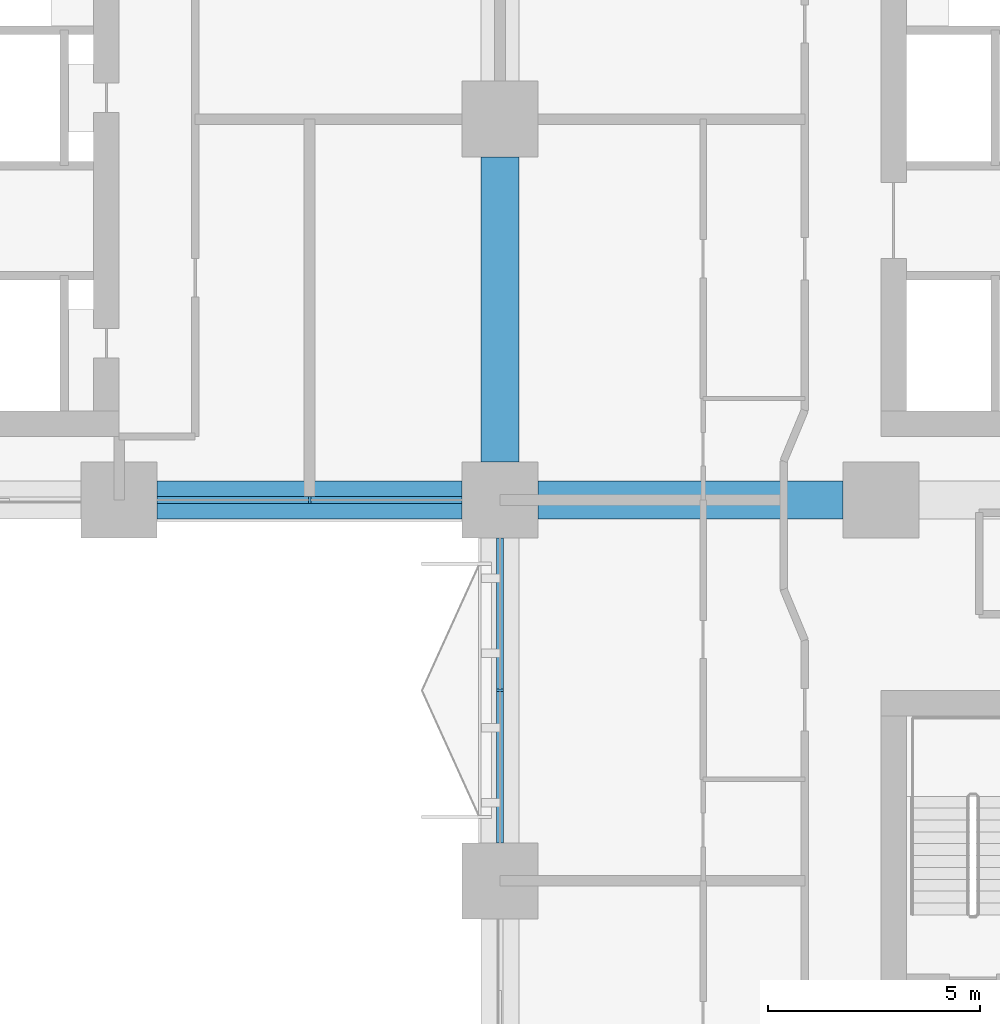
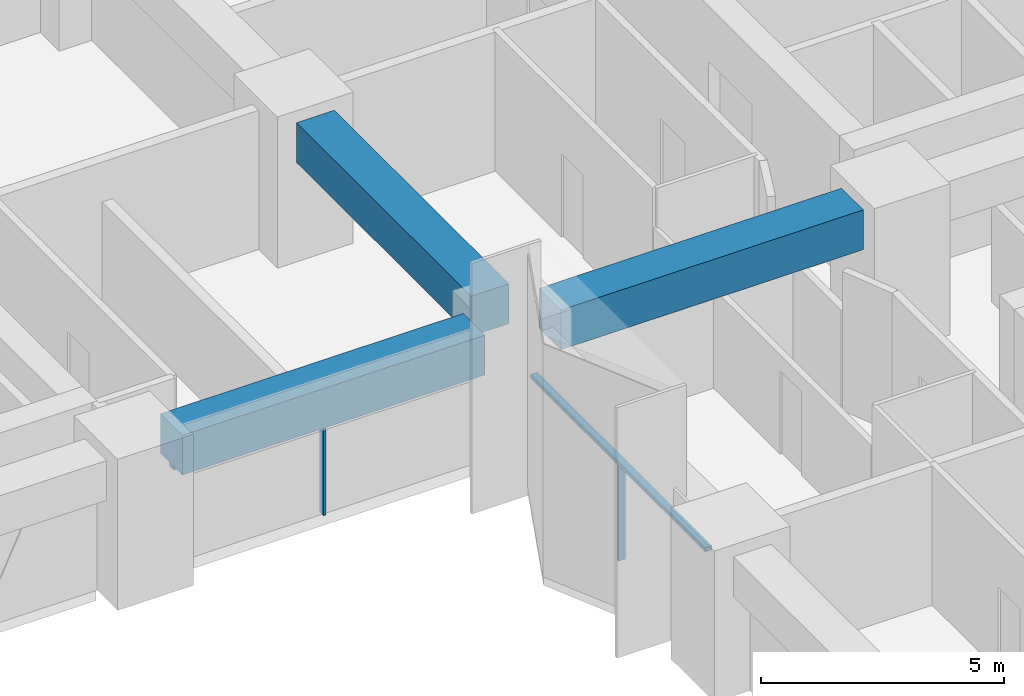
# One storey, part 3 of 18: 4 members, 3 beams, 2 elements without a shape of their own.
"""IFC4 building model written with IfcOpenShell, lengths in metres."""

import ifcopenshell
import ifcopenshell.guid

model = None  # the IFC model being written
_history = None  # IfcOwnerHistory: only IFC2X3 demands one
_inside = {}  # id of a spatial element -> (the spatial element, [elements in it])
_under = {}  # id of a project, library or spatial element -> (it, [spatial elements below it])
_declared = {}  # id of a project -> (the project, [libraries it declares])
_typed = {}  # id of a type object -> (the type object, [elements of that type])
_made_of = {}  # id of a material, layer set ... -> (it, [elements and type objects made of it])


def new_model(schema):
    """Start an empty IFC model of exactly this schema.

    Asked for "IFC4X3", IfcOpenShell would pick the latest addendum, in which some entities
    have other attributes; the version numbers below select the first issue.
    IFC2X3 requires an IfcOwnerHistory on every rooted entity: one is made here for all.
    """
    global model, _history
    if schema == "IFC4X3":
        model = ifcopenshell.file(schema_version=(4, 3, 0, 0))
    else:
        model = ifcopenshell.file(schema=schema)
    _inside.clear()
    _under.clear()
    _declared.clear()
    _typed.clear()
    _made_of.clear()
    _history = None
    if model.schema == "IFC2X3":
        org = make("IfcOrganization", Name="unknown")
        user = make(
            "IfcPersonAndOrganization",
            ThePerson=make("IfcPerson", FamilyName="unknown"),
            TheOrganization=org,
        )
        app = make(
            "IfcApplication",
            ApplicationDeveloper=org,
            Version="unknown",
            ApplicationFullName="unknown",
            ApplicationIdentifier="unknown",
        )
        _history = make(
            "IfcOwnerHistory",
            OwningUser=user,
            OwningApplication=app,
            ChangeAction="ADDED",
            CreationDate=0,
        )
    return model


def make(cls, **values):
    """One entity of the class cls with the attributes given. An attribute that is None is left unset."""
    return model.create_entity(
        cls, **{name: value for name, value in values.items() if value is not None}
    )


def rooted(cls, **values):
    """An entity with a GlobalId (a new one), such as an element, a storey or a relation."""
    return make(cls, GlobalId=ifcopenshell.guid.new(), OwnerHistory=_history, **values)


def si_unit(unit_type, name, prefix=None):
    """IfcSIUnit, for example si_unit("LENGTHUNIT", "METRE", prefix="MILLI")."""
    return make("IfcSIUnit", UnitType=unit_type, Prefix=prefix, Name=name)


def assignment(units):
    """IfcUnitAssignment: the units of a project."""
    return None if units is None else make("IfcUnitAssignment", Units=units)


def point(xyz):
    """IfcCartesianPoint."""
    return None if xyz is None else make("IfcCartesianPoint", Coordinates=xyz)


def direction(xyz):
    """IfcDirection."""
    return None if xyz is None else make("IfcDirection", DirectionRatios=xyz)


def frame(location, z_axis=None, x_axis=None):
    """IfcAxis2Placement3D, a coordinate frame: its origin and axes. An axis left out is left unset."""
    return make(
        "IfcAxis2Placement3D",
        Location=point(location),
        Axis=direction(z_axis),
        RefDirection=direction(x_axis),
    )


def frame_2d(location, x_axis=None):
    """IfcAxis2Placement2D, a coordinate frame in the plane: its origin and x axis."""
    return make(
        "IfcAxis2Placement2D", Location=point(location), RefDirection=direction(x_axis)
    )


def origin():
    """The frame at (0, 0, 0) with its axes left unset."""
    return frame((0.0, 0.0, 0.0))


def origin_2d():
    """The frame at (0, 0) in the plane with its x axis left unset."""
    return frame_2d((0.0, 0.0))


def place(relative_to, where):
    """IfcLocalPlacement: puts the frame where relative to a parent placement (None: the world)."""
    return make(
        "IfcLocalPlacement", PlacementRelTo=relative_to, RelativePlacement=where
    )


def context(
    kind, dimensions, precision=None, world=None, true_north=None, identifier=None
):
    """IfcGeometricRepresentationContext, for example the 3D "Model" context."""
    return make(
        "IfcGeometricRepresentationContext",
        ContextIdentifier=identifier,
        ContextType=kind,
        CoordinateSpaceDimension=dimensions,
        Precision=precision,
        WorldCoordinateSystem=world,
        TrueNorth=true_north,
    )


def subcontext(parent, identifier, kind, view, scale=None):
    """IfcGeometricRepresentationSubContext, for example "Body" below "Model"."""
    return make(
        "IfcGeometricRepresentationSubContext",
        ContextIdentifier=identifier,
        ContextType=kind,
        ParentContext=parent,
        TargetScale=scale,
        TargetView=view,
    )


def project(units=None, contexts=None):
    """IfcProject with its units and contexts."""
    return rooted(
        "IfcProject",
        Name="project",
        RepresentationContexts=contexts,
        UnitsInContext=assignment(units),
    )


def spatial(cls, under=None, at=None, **own):
    """A site, building, storey or space (cls), placed at a placement, below another one or the project."""
    s = rooted(cls, ObjectPlacement=at, **own)
    if under is not None:
        _under.setdefault(under.id(), (under, []))[1].append(s)
    return s


def profile(cls, at=None, kind="AREA", **sizes):
    """A parametric profile (cls). Its sizes go by their IFC names, for example OverallWidth=200.0."""
    return make(cls, ProfileType=kind, Position=at, **sizes)


def rectangle(**sizes):
    """IfcRectangleProfileDef."""
    return profile("IfcRectangleProfileDef", **sizes)


def extrude(swept, where, along, depth):
    """IfcExtrudedAreaSolid: the profile swept, set in the frame where, extruded along a direction by depth."""
    return make(
        "IfcExtrudedAreaSolid",
        SweptArea=swept,
        Position=where,
        ExtrudedDirection=direction(along),
        Depth=depth,
    )


def shape(context_of_items, identifier, shape_type, items):
    """IfcShapeRepresentation: the items that make up one representation, for example the "Body"."""
    return make(
        "IfcShapeRepresentation",
        ContextOfItems=context_of_items,
        RepresentationIdentifier=identifier,
        RepresentationType=shape_type,
        Items=items,
    )


def material(Name=None, Category=None):
    """IfcMaterial."""
    return make("IfcMaterial", Name=Name, Category=Category)


def material_profile(
    of_material, cross_section, Name=None, Category=None, Priority=None
):
    """IfcMaterialProfile: a cross section and its material."""
    return make(
        "IfcMaterialProfile",
        Name=Name,
        Material=of_material,
        Profile=cross_section,
        Priority=Priority,
        Category=Category,
    )


def profile_set(profiles, Name=None, composite=None):
    """IfcMaterialProfileSet."""
    return make(
        "IfcMaterialProfileSet",
        Name=Name,
        MaterialProfiles=profiles,
        CompositeProfile=composite,
    )


def made_of(thing, what):
    """Note that an element or type object is made of a material, layer set ...; save() writes the relation."""
    if what is not None:
        _made_of.setdefault(what.id(), (what, []))[1].append(thing)
    return thing


def type_object(cls, material=None, **own):
    """A type object (cls), such as IfcWallType, which elements share."""
    return made_of(rooted(cls, **own), material)


def element(
    cls,
    number,
    at=None,
    inside=None,
    cuts=None,
    type_object=None,
    material=None,
    context=None,
    identifier="Body",
    shape_type=None,
    held_by="IfcProductDefinitionShape",
    body=None,
    shapes=None,
    **own,
):
    """One element of the class cls, such as IfcWall. Its Tag is "e" and its number.

    at: its placement. inside: the storey or other place that contains it. cuts: it is an
    opening in that element (IfcRelVoidsElement). A single representation is given by context,
    identifier, shape_type and body (its items); several are given by shapes. held_by: the class
    of the entity that holds the representations. save() writes the other relations.
    """
    e = rooted(cls, Tag="e%d" % number, ObjectPlacement=at, **own)
    if body is not None:
        shapes = [shape(context, identifier, shape_type, body)]
    if shapes is not None:
        e.Representation = make(held_by, Representations=shapes)
    if inside is not None:
        _inside.setdefault(inside.id(), (inside, []))[1].append(e)
    if cuts is not None:
        rooted(
            "IfcRelVoidsElement", RelatingBuildingElement=cuts, RelatedOpeningElement=e
        )
    if type_object is not None:
        _typed.setdefault(type_object.id(), (type_object, []))[1].append(e)
    return made_of(e, material)


def aggregate(whole, parts):
    """IfcRelAggregates: a whole, such as a stair, and the parts it consists of."""
    return rooted("IfcRelAggregates", RelatingObject=whole, RelatedObjects=parts)


def save(model, path):
    """Write the relations noted so far, then the file.

    IfcRelAggregates (storeys below a building ...), IfcRelContainedInSpatialStructure (elements
    in a storey), IfcRelDefinesByType, IfcRelAssociatesMaterial and IfcRelDeclares: one each for
    every whole, place, type object, material and project.
    """
    for whole, parts in _under.values():
        aggregate(whole, parts)
    for where, things in _inside.values():
        rooted(
            "IfcRelContainedInSpatialStructure",
            RelatedElements=things,
            RelatingStructure=where,
        )
    for kind, things in _typed.values():
        rooted("IfcRelDefinesByType", RelatedObjects=things, RelatingType=kind)
    for what, things in _made_of.values():
        rooted("IfcRelAssociatesMaterial", RelatedObjects=things, RelatingMaterial=what)
    for by, libraries in _declared.values():
        rooted("IfcRelDeclares", RelatingContext=by, RelatedDefinitions=libraries)
    model.write(path)


model = new_model("IFC4")

# Units and contexts
model_context = context("Model", 3, precision=1e-05, world=origin(), true_north=direction((0.0, 1.0)))
body_context = subcontext(model_context, "Body", "Model", "MODEL_VIEW")
ifc_project = project(units=[si_unit("LENGTHUNIT", "METRE"), si_unit("AREAUNIT", "SQUARE_METRE"), si_unit("VOLUMEUNIT", "CUBIC_METRE"), si_unit("PLANEANGLEUNIT", "RADIAN"), si_unit("MASSUNIT", "GRAM", prefix="KILO")], contexts=[model_context])

# Site, building, storey
site_placement = place(None, origin())
site = spatial("IfcSite", under=ifc_project, at=site_placement, CompositionType="ELEMENT")
building_placement = place(site_placement, origin())
building = spatial("IfcBuilding", under=site, at=building_placement, Name="Tessera Arch", CompositionType="ELEMENT")
storey_placement = place(building_placement, frame((0.0, 0.0, 100.60009765625)))
storey = spatial("IfcBuildingStorey", under=building, at=storey_placement, Name="L23", CompositionType="ELEMENT", Elevation=100.60009765625)

# Curtain wall, member
ifc_material_1 = material(Name="CW1 curtain wall")
curtain_wall_type = type_object("IfcCurtainWallType", Name="CW1 curtain wall", PredefinedType="NOTDEFINED", material=ifc_material_1)
curtain_wall_1_placement = place(storey_placement, origin())
curtain_wall_1 = element("IfcCurtainWall", 1, at=curtain_wall_1_placement, inside=storey, type_object=curtain_wall_type, Name="CW1 curtain wall S27.0/2 L23", PredefinedType="NOTDEFINED")
ifc_material_2 = material(Name="Anodised aluminium pale metal", Category="aluminium")
ifc_material_profile_1 = material_profile(ifc_material_2, rectangle(XDim=0.159912109375, YDim=0.06005859375, at=origin_2d()), Name="AL 60x160")
ifc_profile_set_1 = profile_set([ifc_material_profile_1], Name="Anodised aluminium pale metal")
member_type_1 = type_object("IfcMemberType", Name="CW1 mullion", PredefinedType="MULLION", material=ifc_profile_set_1)
member_1_placement = place(storey_placement, frame((22.5, 27.0, 0.0), z_axis=(0.0, 0.0, 1.0), x_axis=(0.0, 1.0, 0.0)))
member_1 = element("IfcMember", 2, at=member_1_placement, type_object=member_type_1, Name="CW1 mullion S27.0/2 1", PredefinedType="MULLION", context=body_context, shape_type="SweptSolid", body=[
    extrude(rectangle(XDim=0.159912109375, YDim=0.06005859375, at=origin_2d()), origin(), (0.0, 0.0, 1.0), 2.39990234375),
])

curtain_wall_2_placement = place(storey_placement, origin())
curtain_wall_2 = element("IfcCurtainWall", 3, at=curtain_wall_2_placement, inside=storey, type_object=curtain_wall_type, Name="CW1 curtain wall W27.0/0 L23", PredefinedType="NOTDEFINED")
member_2_placement = place(storey_placement, frame((27.0, 22.5, 0.0), z_axis=(0.0, 0.0, 1.0), x_axis=(1.0, 0.0, 0.0)))
member_2 = element("IfcMember", 4, at=member_2_placement, type_object=member_type_1, Name="CW1 mullion W27.0/0 1", PredefinedType="MULLION", context=body_context, shape_type="SweptSolid", body=[
    extrude(rectangle(XDim=0.159912109375, YDim=0.06005859375, at=origin_2d()), origin(), (0.0, 0.0, 1.0), 2.39990234375),
])

# Member
ifc_material_3 = material(Name="Anodised aluminium pale metal", Category="aluminium")
ifc_material_profile_2 = material_profile(ifc_material_3, rectangle(XDim=0.159912109375, YDim=0.10009765625, at=origin_2d()), Name="AL 160x100")
ifc_profile_set_2 = profile_set([ifc_material_profile_2], Name="Anodised aluminium pale metal")
member_type_2 = type_object("IfcMemberType", Name="CW1 transom", PredefinedType="USERDEFINED", material=ifc_profile_set_2)
member_3_placement = place(storey_placement, frame((18.89990234375, 27.0, 2.449951171875), z_axis=(1.0, 0.0, 0.0), x_axis=(0.0, 1.0, 0.0)))
member_3 = element("IfcMember", 5, at=member_3_placement, type_object=member_type_2, Name="CW1 transom S27.0/2 1.1", ObjectType="TRANSOM", PredefinedType="USERDEFINED", context=body_context, shape_type="SweptSolid", body=[
    extrude(rectangle(XDim=0.159912109375, YDim=0.10009765625, at=origin_2d()), origin(), (0.0, 0.0, 1.0), 7.2001953125),
])

aggregate(curtain_wall_1, [member_1, member_3])

member_4_placement = place(storey_placement, frame((27.0, 26.10009765625, 2.449951171875), z_axis=(0.0, -1.0, 0.0), x_axis=(1.0, 0.0, 0.0)))
member_4 = element("IfcMember", 6, at=member_4_placement, type_object=member_type_2, Name="CW1 transom W27.0/0 1.1", ObjectType="TRANSOM", PredefinedType="USERDEFINED", context=body_context, shape_type="SweptSolid", body=[
    extrude(rectangle(XDim=0.159912109375, YDim=0.10009765625, at=origin_2d()), origin(), (0.0, 0.0, 1.0), 7.2001953125),
])

aggregate(curtain_wall_2, [member_2, member_4])

# Beams
ifc_material_4 = material(Name="Concrete C80/95", Category="concrete")
ifc_material_profile_3 = material_profile(ifc_material_4, rectangle(XDim=0.89990234375, YDim=1.0, at=origin_2d()), Name="RC spandrel beam 900 x 1000 Concrete C80/95")
ifc_profile_set_3 = profile_set([ifc_material_profile_3], Name="Concrete C80/95")
beam_type = type_object("IfcBeamType", Name="RC spandrel beam 900 x 1000 Concrete C80/95", PredefinedType="BEAM", material=ifc_profile_set_3)
for number, where, z_axis, x_axis, name in (
    (7, (18.89990234375, 27.0, 3.0), (1.0, 0.0, 0.0), (0.0, 1.0, 0.0), "Spandrel beam L23 S27.0/2"),
    (8, (27.0, 27.89990234375, 3.0), (0.0, 1.0, 0.0), (-1.0, 0.0, 0.0), "Interface beam L23 I0C4D-C4E"),
    (9, (27.89990234375, 27.0, 3.0), (1.0, 0.0, 0.0), (0.0, 1.0, 0.0), "Interface beam L23 I1C4D-C5D"),
):
    element("IfcBeam", number, at=place(storey_placement, frame(where, z_axis=z_axis, x_axis=x_axis)), inside=storey, type_object=beam_type, Name=name, PredefinedType="BEAM", context=body_context, shape_type="SweptSolid", body=[
        extrude(rectangle(XDim=0.89990234375, YDim=1.0, at=origin_2d()), origin(), (0.0, 0.0, 1.0), 7.2001953125),
    ])

save(model, "model.ifc")
